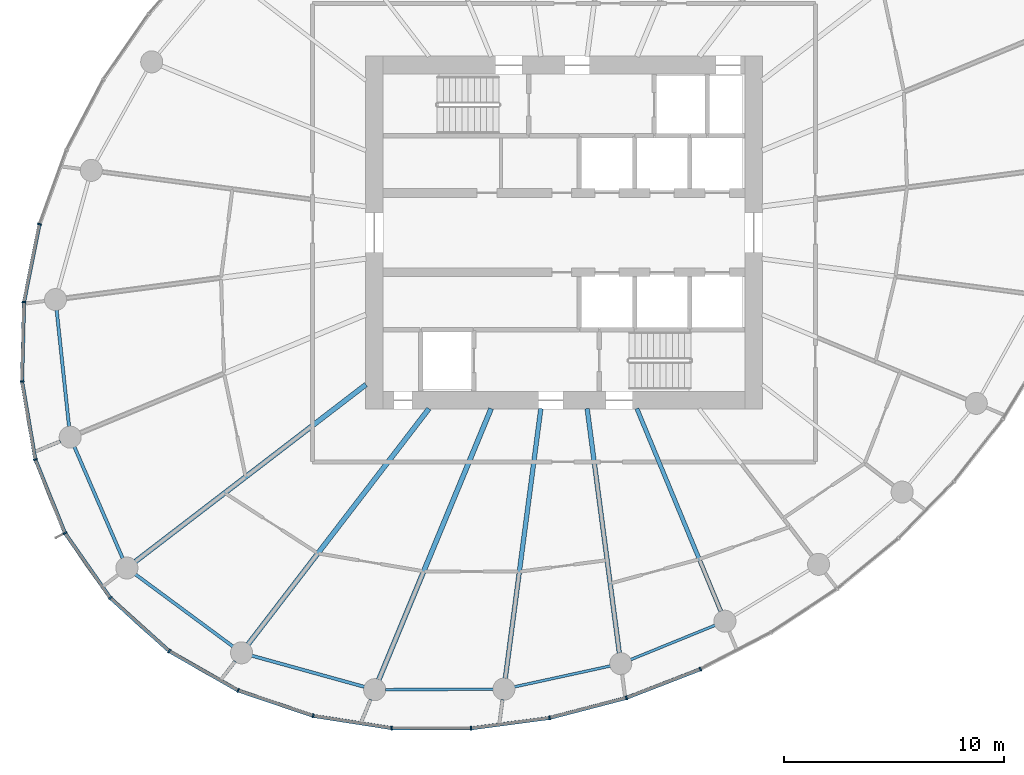
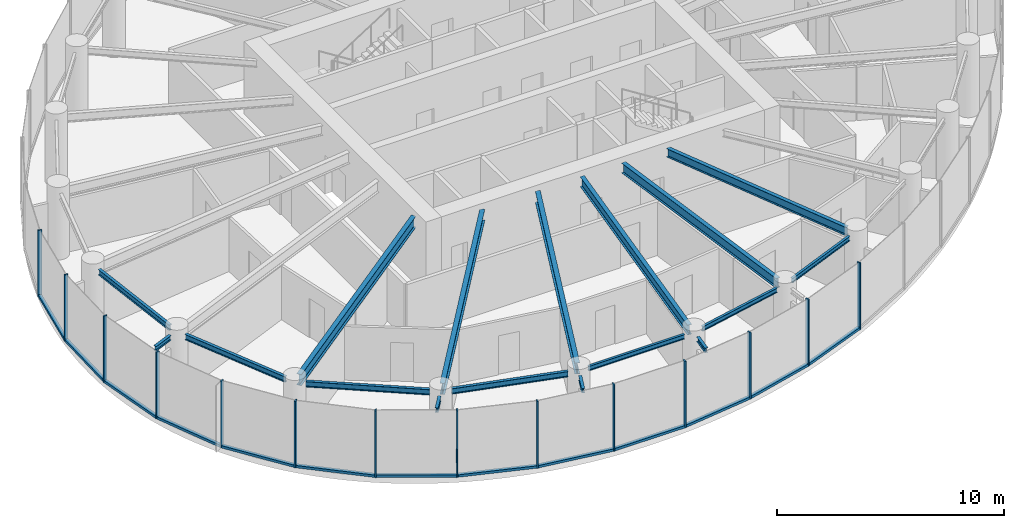
# One storey, part 2 of 14: 27 members, 17 beams, 3 elements without a shape of their own.
"""IFC4 building model written with IfcOpenShell, lengths in metres."""

from ifc_helpers import new_model, si_unit, direction, frame, origin, origin_2d, place, context, subcontext, project, spatial, rectangle, i_section, extrude, source, transform, mapped, material, layer, layer_set, material_profile, profile_set, type_object, element, aggregate, save


model = new_model("IFC4")

# Units and contexts
model_context = context("Model", 3, precision=1e-05, world=origin(), true_north=direction((0.0, 1.0)))
body_context = subcontext(model_context, "Body", "Model", "MODEL_VIEW")
ifc_project = project(units=[si_unit("LENGTHUNIT", "METRE"), si_unit("AREAUNIT", "SQUARE_METRE"), si_unit("VOLUMEUNIT", "CUBIC_METRE"), si_unit("PLANEANGLEUNIT", "RADIAN"), si_unit("MASSUNIT", "GRAM", prefix="KILO")], contexts=[model_context])

# Site, building, storey
site_placement = place(None, origin())
site = spatial("IfcSite", under=ifc_project, at=site_placement, CompositionType="ELEMENT")
building_placement = place(site_placement, origin())
building = spatial("IfcBuilding", under=site, at=building_placement, Name="Spindrift Exchange Tower", CompositionType="ELEMENT")
storey_placement = place(building_placement, frame((0.0, 0.0, 164.300048828125)))
storey = spatial("IfcBuildingStorey", under=building, at=storey_placement, Name="L39", CompositionType="ELEMENT", Elevation=164.300048828125)

# Beams
ifc_material_1 = material(Name="Steel Grade 300", Category="steel")
ifc_material_profile_1 = material_profile(ifc_material_1, i_section(OverallWidth=0.14892578125, OverallDepth=0.298095703125, WebThickness=0.005615234375, FlangeThickness=0.008056640625, FilletRadius=0.012939453125, at=origin_2d()), Name="310UB32.0")
ifc_profile_set_1 = profile_set([ifc_material_profile_1], Name="Steel Grade 300")
beam_type_1 = type_object("IfcBeamType", Name="Edge Beam 310UB32.0 Steel Grade 300", PredefinedType="SPANDREL", material=ifc_profile_set_1)
shared_shape_1 = source(origin(), body_context, "Body", "SweptSolid", [
    extrude(i_section(OverallWidth=0.14892578125, OverallDepth=0.298095703125, WebThickness=0.005615234375, FlangeThickness=0.008056640625, FilletRadius=0.012939453125, at=origin_2d()), origin(), (0.0, 0.0, 1.0), 5.31640625),
])
beam_1_placement = place(storey_placement, frame((28.989013671875, 44.486572265625, 3.430908203125), z_axis=(0.10598990948, -0.994367205357, 0.0), x_axis=(0.994367205357, 0.10598990948, 0.0)))
element("IfcBeam", 1, at=beam_1_placement, inside=storey, type_object=beam_type_1, Name="L39 edge beam E13", PredefinedType="SPANDREL", context=body_context, shape_type="MappedRepresentation", body=[
    mapped(shared_shape_1, transform((0.0, 0.0, 0.0), scale=1.0)),
])
shared_shape_2 = source(origin(), body_context, "Body", "SweptSolid", [
    extrude(i_section(OverallWidth=0.14892578125, OverallDepth=0.298095703125, WebThickness=0.005615234375, FlangeThickness=0.008056640625, FilletRadius=0.012939453125, at=origin_2d()), origin(), (0.0, 0.0, 1.0), 5.508544921875),
])
beam_2_placement = place(storey_placement, frame((29.794189453125, 38.282470703125, 3.430908203125), z_axis=(0.397414644433, -0.917639144975, 0.0), x_axis=(0.917639144975, 0.397414644433, 0.0)))
element("IfcBeam", 2, at=beam_2_placement, inside=storey, type_object=beam_type_1, Name="L39 edge beam E14", PredefinedType="SPANDREL", context=body_context, shape_type="MappedRepresentation", body=[
    mapped(shared_shape_2, transform((0.0, 0.0, 0.0), scale=1.0)),
])
shared_shape_3 = source(origin(), body_context, "Body", "SweptSolid", [
    extrude(i_section(OverallWidth=0.14892578125, OverallDepth=0.298095703125, WebThickness=0.005615234375, FlangeThickness=0.008056640625, FilletRadius=0.012939453125, at=origin_2d()), origin(), (0.0, 0.0, 1.0), 5.509033203125),
])
beam_3_placement = place(storey_placement, frame((32.56005859375, 32.501708984375, 3.430908203125), z_axis=(0.803991901791, -0.594640245741, 0.0), x_axis=(0.594640245741, 0.803991901791, 0.0)))
element("IfcBeam", 3, at=beam_3_placement, inside=storey, type_object=beam_type_1, Name="L39 edge beam E15", PredefinedType="SPANDREL", context=body_context, shape_type="MappedRepresentation", body=[
    mapped(shared_shape_3, transform((0.0, 0.0, 0.0), scale=1.0)),
])
shared_shape_4 = source(origin(), body_context, "Body", "SweptSolid", [
    extrude(i_section(OverallWidth=0.14892578125, OverallDepth=0.298095703125, WebThickness=0.005615234375, FlangeThickness=0.008056640625, FilletRadius=0.012939453125, at=origin_2d()), origin(), (0.0, 0.0, 1.0), 5.30517578125),
])
beam_4_placement = place(storey_placement, frame((37.837646484375, 28.8125, 3.430908203125), z_axis=(0.963757513624, -0.26677978734, 0.0), x_axis=(0.26677978734, 0.963757513624, 0.0)))
element("IfcBeam", 4, at=beam_4_placement, inside=storey, type_object=beam_type_1, Name="L39 edge beam E16", PredefinedType="SPANDREL", context=body_context, shape_type="MappedRepresentation", body=[
    mapped(shared_shape_4, transform((0.0, 0.0, 0.0), scale=1.0)),
])
ifc_material_profile_2 = material_profile(ifc_material_1, i_section(OverallWidth=0.1240234375, OverallDepth=0.248046875, WebThickness=0.0048828125, FlangeThickness=0.008056640625, FilletRadius=0.011962890625, at=origin_2d()), Name="250UB25.7")
ifc_profile_set_2 = profile_set([ifc_material_profile_2], Name="Steel Grade 300")
beam_type_2 = type_object("IfcBeamType", Name="Edge Beam 250UB25.7 Steel Grade 300", PredefinedType="SPANDREL", material=ifc_profile_set_2)
shared_shape_5 = source(origin(), body_context, "Body", "SweptSolid", [
    extrude(i_section(OverallWidth=0.1240234375, OverallDepth=0.248046875, WebThickness=0.0048828125, FlangeThickness=0.008056640625, FilletRadius=0.011962890625, at=origin_2d()), origin(), (0.0, 0.0, 1.0), 4.901123046875),
])
beam_5_placement = place(storey_placement, frame((43.89306640625, 27.271240234375, 3.4560546875), z_axis=(0.999990609444, 0.004333707747, 0.0), x_axis=(-0.004333707747, 0.999990609444, 0.0)))
element("IfcBeam", 5, at=beam_5_placement, inside=storey, type_object=beam_type_2, Name="L39 edge beam E17", PredefinedType="SPANDREL", context=body_context, shape_type="MappedRepresentation", body=[
    mapped(shared_shape_5, transform((0.0, 0.0, 0.0), scale=1.0)),
])
shared_shape_6 = source(origin(), body_context, "Body", "SweptSolid", [
    extrude(i_section(OverallWidth=0.1240234375, OverallDepth=0.248046875, WebThickness=0.0048828125, FlangeThickness=0.008056640625, FilletRadius=0.011962890625, at=origin_2d()), origin(), (0.0, 0.0, 1.0), 4.464111328125),
])
beam_6_placement = place(storey_placement, frame((49.7431640625, 27.396728515625, 3.4560546875), z_axis=(0.977095837978, 0.212799726048, 0.0), x_axis=(-0.212799726048, 0.977095837978, 0.0)))
element("IfcBeam", 6, at=beam_6_placement, inside=storey, type_object=beam_type_2, Name="L39 edge beam E18", PredefinedType="SPANDREL", context=body_context, shape_type="MappedRepresentation", body=[
    mapped(shared_shape_6, transform((0.0, 0.0, 0.0), scale=1.0)),
])
shared_shape_7 = source(origin(), body_context, "Body", "SweptSolid", [
    extrude(i_section(OverallWidth=0.1240234375, OverallDepth=0.248046875, WebThickness=0.0048828125, FlangeThickness=0.008056640625, FilletRadius=0.011962890625, at=origin_2d()), origin(), (0.0, 0.0, 1.0), 4.143798828125),
])
beam_7_placement = place(storey_placement, frame((55.0185546875, 28.6298828125, 3.4560546875), z_axis=(0.926113706975, 0.377244485385, 0.0), x_axis=(-0.377244485385, 0.926113706975, 0.0)))
element("IfcBeam", 7, at=beam_7_placement, inside=storey, type_object=beam_type_2, Name="L39 edge beam E19", PredefinedType="SPANDREL", context=body_context, shape_type="MappedRepresentation", body=[
    mapped(shared_shape_7, transform((0.0, 0.0, 0.0), scale=1.0)),
])
ifc_material_profile_3 = material_profile(ifc_material_1, i_section(OverallWidth=0.22802734375, OverallDepth=0.60205078125, WebThickness=0.010498046875, FlangeThickness=0.014892578125, FilletRadius=0.013916015625, at=origin_2d()), Name="610UB101")
ifc_profile_set_3 = profile_set([ifc_material_profile_3], Name="Steel Grade 300")
beam_type_3 = type_object("IfcBeamType", Name="Floor Beam 610UB101 Steel Grade 300", PredefinedType="BEAM", material=ifc_profile_set_3)
shared_shape_8 = source(origin(), body_context, "Body", "SweptSolid", [
    extrude(i_section(OverallWidth=0.22802734375, OverallDepth=0.60205078125, WebThickness=0.010498046875, FlangeThickness=0.014892578125, FilletRadius=0.013916015625, at=origin_2d()), origin(), (0.0, 0.0, 1.0), 13.185546875),
])
beam_8_placement = place(storey_placement, frame((43.015869140625, 41.106201171875, 3.279052734375), z_axis=(-0.793357156703, -0.608756455332, 0.0), x_axis=(0.608756455332, -0.793357156703, 0.0)))
element("IfcBeam", 8, at=beam_8_placement, inside=storey, type_object=beam_type_3, Name="L39 radial beam R15A", PredefinedType="BEAM", context=body_context, shape_type="MappedRepresentation", body=[
    mapped(shared_shape_8, transform((0.0, 0.0, 0.0), scale=1.0)),
])
shared_shape_9 = source(origin(), body_context, "Body", "SweptSolid", [
    extrude(i_section(OverallWidth=0.22802734375, OverallDepth=0.60205078125, WebThickness=0.010498046875, FlangeThickness=0.014892578125, FilletRadius=0.013916015625, at=origin_2d()), origin(), (0.0, 0.0, 1.0), 13.480224609375),
])
beam_9_placement = place(storey_placement, frame((45.87353515625, 40.015869140625, 3.279052734375), z_axis=(-0.608764179541, -0.793351229726, 0.0), x_axis=(0.793351229726, -0.608764179541, 0.0)))
element("IfcBeam", 9, at=beam_9_placement, inside=storey, type_object=beam_type_3, Name="L39 radial beam R16A", PredefinedType="BEAM", context=body_context, shape_type="MappedRepresentation", body=[
    mapped(shared_shape_9, transform((0.0, 0.0, 0.0), scale=1.0)),
])
shared_shape_10 = source(origin(), body_context, "Body", "SweptSolid", [
    extrude(i_section(OverallWidth=0.22802734375, OverallDepth=0.60205078125, WebThickness=0.010498046875, FlangeThickness=0.014892578125, FilletRadius=0.013916015625, at=origin_2d()), origin(), (0.0, 0.0, 1.0), 13.31982421875),
])
beam_10_placement = place(storey_placement, frame((48.69384765625, 40.0185546875, 3.279052734375), z_axis=(-0.382676632888, -0.923882348918, 0.0), x_axis=(0.923882348918, -0.382676632888, 0.0)))
element("IfcBeam", 10, at=beam_10_placement, inside=storey, type_object=beam_type_3, Name="L39 radial beam R17A", PredefinedType="BEAM", context=body_context, shape_type="MappedRepresentation", body=[
    mapped(shared_shape_10, transform((0.0, 0.0, 0.0), scale=1.0)),
])
ifc_material_profile_4 = material_profile(ifc_material_1, i_section(OverallWidth=0.208984375, OverallDepth=0.528076171875, WebThickness=0.009521484375, FlangeThickness=0.01318359375, FilletRadius=0.013916015625, at=origin_2d()), Name="530UB82.0")
ifc_profile_set_4 = profile_set([ifc_material_profile_4], Name="Steel Grade 300")
beam_type_4 = type_object("IfcBeamType", Name="Floor Beam 530UB82.0 Steel Grade 300", PredefinedType="BEAM", material=ifc_profile_set_4)
shared_shape_11 = source(origin(), body_context, "Body", "SweptSolid", [
    extrude(i_section(OverallWidth=0.208984375, OverallDepth=0.528076171875, WebThickness=0.009521484375, FlangeThickness=0.01318359375, FilletRadius=0.013916015625, at=origin_2d()), origin(), (0.0, 0.0, 1.0), 12.35498046875),
])
beam_11_placement = place(storey_placement, frame((50.949462890625, 40.019775390625, 3.31591796875), z_axis=(-0.130537831721, -0.991443328935, 0.0), x_axis=(0.991443328935, -0.130537831721, 0.0)))
element("IfcBeam", 11, at=beam_11_placement, inside=storey, type_object=beam_type_4, Name="L39 radial beam R18A", PredefinedType="BEAM", context=body_context, shape_type="MappedRepresentation", body=[
    mapped(shared_shape_11, transform((0.0, 0.0, 0.0), scale=1.0)),
])
shared_shape_12 = source(origin(), body_context, "Body", "SweptSolid", [
    extrude(i_section(OverallWidth=0.208984375, OverallDepth=0.528076171875, WebThickness=0.009521484375, FlangeThickness=0.01318359375, FilletRadius=0.013916015625, at=origin_2d()), origin(), (0.0, 0.0, 1.0), 11.19091796875),
])
beam_12_placement = place(storey_placement, frame((53.050537109375, 40.019775390625, 3.31591796875), z_axis=(0.130524489434, -0.991445085548, 0.0), x_axis=(0.991445085548, 0.130524489434, 0.0)))
element("IfcBeam", 12, at=beam_12_placement, inside=storey, type_object=beam_type_4, Name="L39 radial beam R19A", PredefinedType="BEAM", context=body_context, shape_type="MappedRepresentation", body=[
    mapped(shared_shape_12, transform((0.0, 0.0, 0.0), scale=1.0)),
])
ifc_material_profile_5 = material_profile(ifc_material_1, i_section(OverallWidth=0.18994140625, OverallDepth=0.4541015625, WebThickness=0.008544921875, FlangeThickness=0.0126953125, FilletRadius=0.013916015625, at=origin_2d()), Name="460UB67.1")
ifc_profile_set_5 = profile_set([ifc_material_profile_5], Name="Steel Grade 300")
beam_type_5 = type_object("IfcBeamType", Name="Floor Beam 460UB67.1 Steel Grade 300", PredefinedType="BEAM", material=ifc_profile_set_5)
shared_shape_13 = source(origin(), body_context, "Body", "SweptSolid", [
    extrude(i_section(OverallWidth=0.18994140625, OverallDepth=0.4541015625, WebThickness=0.008544921875, FlangeThickness=0.0126953125, FilletRadius=0.013916015625, at=origin_2d()), origin(), (0.0, 0.0, 1.0), 9.958984375),
])
beam_13_placement = place(storey_placement, frame((55.30615234375, 40.0185546875, 3.35302734375), z_axis=(0.382673670509, -0.923883575944, 0.0), x_axis=(0.923883575944, 0.382673670509, 0.0)))
element("IfcBeam", 13, at=beam_13_placement, inside=storey, type_object=beam_type_5, Name="L39 radial beam R20A", PredefinedType="BEAM", context=body_context, shape_type="MappedRepresentation", body=[
    mapped(shared_shape_13, transform((0.0, 0.0, 0.0), scale=1.0)),
])
ifc_material_profile_6 = material_profile(ifc_material_1, i_section(OverallWidth=0.14599609375, OverallDepth=0.251953125, WebThickness=0.006103515625, FlangeThickness=0.008544921875, FilletRadius=0.011962890625, at=origin_2d()), Name="250UB31.4")
ifc_profile_set_6 = profile_set([ifc_material_profile_6], Name="Steel Grade 300")
beam_type_6 = type_object("IfcBeamType", Name="Cantilever Beam 250UB31.4 Steel Grade 300", PredefinedType="BEAM", material=ifc_profile_set_6)
shared_shape_14 = source(origin(), body_context, "Body", "SweptSolid", [
    extrude(i_section(OverallWidth=0.14599609375, OverallDepth=0.251953125, WebThickness=0.006103515625, FlangeThickness=0.008544921875, FilletRadius=0.011962890625, at=origin_2d()), origin(), (0.0, 0.0, 1.0), 1.092041015625),
])
beam_14_placement = place(storey_placement, frame((29.159912109375, 38.539306640625, 3.453857421875), z_axis=(-0.923842410219, -0.382773041214, 0.0), x_axis=(0.382773041214, -0.923842410219, 0.0)))
element("IfcBeam", 14, at=beam_14_placement, inside=storey, type_object=beam_type_6, Name="L39 cantilever beam R14T", PredefinedType="BEAM", context=body_context, shape_type="MappedRepresentation", body=[
    mapped(shared_shape_14, transform((0.0, 0.0, 0.0), scale=1.0)),
])
shared_shape_15 = source(origin(), body_context, "Body", "SweptSolid", [
    extrude(i_section(OverallWidth=0.14599609375, OverallDepth=0.251953125, WebThickness=0.006103515625, FlangeThickness=0.008544921875, FilletRadius=0.011962890625, at=origin_2d()), origin(), (0.0, 0.0, 1.0), 0.938232421875),
])
beam_15_placement = place(storey_placement, frame((37.0830078125, 28.559814453125, 3.453857421875), z_axis=(-0.608666429763, -0.793426226741, 0.0), x_axis=(0.793426226741, -0.608666429763, 0.0)))
element("IfcBeam", 15, at=beam_15_placement, inside=storey, type_object=beam_type_6, Name="L39 cantilever beam R16T", PredefinedType="BEAM", context=body_context, shape_type="MappedRepresentation", body=[
    mapped(shared_shape_15, transform((0.0, 0.0, 0.0), scale=1.0)),
])
shared_shape_16 = source(origin(), body_context, "Body", "SweptSolid", [
    extrude(i_section(OverallWidth=0.14599609375, OverallDepth=0.251953125, WebThickness=0.006103515625, FlangeThickness=0.008544921875, FilletRadius=0.011962890625, at=origin_2d()), origin(), (0.0, 0.0, 1.0), 1.015380859375),
])
beam_16_placement = place(storey_placement, frame((43.229248046875, 26.82568359375, 3.453857421875), z_axis=(-0.382514591676, -0.923949450541, 0.0), x_axis=(0.923949450541, -0.382514591676, 0.0)))
element("IfcBeam", 16, at=beam_16_placement, inside=storey, type_object=beam_type_6, Name="L39 cantilever beam R17T", PredefinedType="BEAM", context=body_context, shape_type="MappedRepresentation", body=[
    mapped(shared_shape_16, transform((0.0, 0.0, 0.0), scale=1.0)),
])
shared_shape_17 = source(origin(), body_context, "Body", "SweptSolid", [
    extrude(i_section(OverallWidth=0.14599609375, OverallDepth=0.251953125, WebThickness=0.006103515625, FlangeThickness=0.008544921875, FilletRadius=0.011962890625, at=origin_2d()), origin(), (0.0, 0.0, 1.0), 0.971923828125),
])
beam_17_placement = place(storey_placement, frame((49.21142578125, 26.81884765625, 3.453857421875), z_axis=(-0.13037003955, -0.991465406753, 0.0), x_axis=(0.991465406753, -0.13037003955, 0.0)))
element("IfcBeam", 17, at=beam_17_placement, inside=storey, type_object=beam_type_6, Name="L39 cantilever beam R18T", PredefinedType="BEAM", context=body_context, shape_type="MappedRepresentation", body=[
    mapped(shared_shape_17, transform((0.0, 0.0, 0.0), scale=1.0)),
])

# Curtain wall, members
ifc_material_2 = material(Name="Fritted laminated glass with bronze frame", Category="glass")
ifc_layer = layer(ifc_material_2, 0.179931640625)
ifc_layer_set = layer_set([ifc_layer], Name="ZONE 3 BRONZE FRITTED WALL")
curtain_wall_type = type_object("IfcCurtainWallType", Name="ZONE 3 BRONZE FRITTED WALL", PredefinedType="NOTDEFINED", material=ifc_layer_set)
curtain_wall_1_placement = place(storey_placement, origin())
curtain_wall_1 = element("IfcCurtainWall", 18, at=curtain_wall_1_placement, inside=storey, type_object=curtain_wall_type, Name="L39 Zone 3 Bronze Fritted Wall run 3", PredefinedType="NOTDEFINED")
ifc_material_3 = material(Name="Bronze anodised aluminium", Category="aluminium")
ifc_material_profile_7 = material_profile(ifc_material_3, rectangle(XDim=0.070068359375, YDim=0.179931640625, at=origin_2d()), Name="ZONE 3 BRONZE FRITTED WALL MULLION 70X180")
ifc_profile_set_7 = profile_set([ifc_material_profile_7], Name="Bronze anodised aluminium")
member_type_1 = type_object("IfcMemberType", Name="ZONE 3 BRONZE FRITTED WALL MULLION 70X180", PredefinedType="MULLION", material=ifc_profile_set_7)
shared_shape_18 = source(origin(), body_context, "Body", "SweptSolid", [
    extrude(rectangle(XDim=0.070068359375, YDim=0.179931640625, at=origin_2d()), origin(), (0.0, 0.0, 1.0), 3.579833984375),
])
member_1_placement = place(storey_placement, frame((28.20947265625, 48.38037109375, 0.0), z_axis=(0.0, 0.0, 1.0), x_axis=(-0.26855053835, -0.963265595956, 0.0)))
member_1 = element("IfcMember", 19, at=member_1_placement, type_object=member_type_1, Name="L39 mullion CW-3.17", PredefinedType="MULLION", context=body_context, shape_type="MappedRepresentation", body=[
    mapped(shared_shape_18, transform((0.0, 0.0, 0.0), scale=1.0)),
])
member_2_placement = place(storey_placement, frame((27.508056640625, 44.8505859375, 0.0), z_axis=(0.0, 0.0, 1.0), x_axis=(-0.110281014733, -0.993900446619, 0.0)))
member_2 = element("IfcMember", 20, at=member_2_placement, type_object=member_type_1, Name="L39 mullion CW-3.18", PredefinedType="MULLION", context=body_context, shape_type="MappedRepresentation", body=[
    mapped(shared_shape_18, transform((0.0, 0.0, 0.0), scale=1.0)),
])

curtain_wall_2_placement = place(storey_placement, origin())
curtain_wall_2 = element("IfcCurtainWall", 21, at=curtain_wall_2_placement, inside=storey, type_object=curtain_wall_type, Name="L39 Zone 3 Bronze Fritted Wall run 4", PredefinedType="NOTDEFINED")
member_3_placement = place(storey_placement, frame((27.418701171875, 41.254150390625, 0.0), z_axis=(0.0, 0.0, 1.0), x_axis=(0.071857191972, -0.997414930689, 0.0)))
member_3 = element("IfcMember", 22, at=member_3_placement, type_object=member_type_1, Name="L39 mullion CW-3.19", PredefinedType="MULLION", context=body_context, shape_type="MappedRepresentation", body=[
    mapped(shared_shape_18, transform((0.0, 0.0, 0.0), scale=1.0)),
])
member_4_placement = place(storey_placement, frame((28.0224609375, 37.708984375, 0.0), z_axis=(0.0, 0.0, 1.0), x_axis=(0.272301701967, -0.962211922139, 0.0)))
member_4 = element("IfcMember", 23, at=member_4_placement, type_object=member_type_1, Name="L39 mullion CW-3.20", PredefinedType="MULLION", context=body_context, shape_type="MappedRepresentation", body=[
    mapped(shared_shape_18, transform((0.0, 0.0, 0.0), scale=1.0)),
])
member_5_placement = place(storey_placement, frame((29.365478515625, 34.3740234375, 0.0), z_axis=(0.0, 0.0, 1.0), x_axis=(0.476277587323, -0.87929497884, 0.0)))
member_5 = element("IfcMember", 24, at=member_5_placement, type_object=member_type_1, Name="L39 mullion CW-3.21", PredefinedType="MULLION", context=body_context, shape_type="MappedRepresentation", body=[
    mapped(shared_shape_18, transform((0.0, 0.0, 0.0), scale=1.0)),
])
member_6_placement = place(storey_placement, frame((31.4248046875, 31.427734375, 0.0), z_axis=(0.0, 0.0, 1.0), x_axis=(0.662022121542, -0.749484296426, 0.0)))
member_6 = element("IfcMember", 25, at=member_6_placement, type_object=member_type_1, Name="L39 mullion CW-3.22", PredefinedType="MULLION", context=body_context, shape_type="MappedRepresentation", body=[
    mapped(shared_shape_18, transform((0.0, 0.0, 0.0), scale=1.0)),
])
member_7_placement = place(storey_placement, frame((34.0947265625, 29.020263671875, 0.0), z_axis=(0.0, 0.0, 1.0), x_axis=(0.810008139885, -0.586418633163, 0.0)))
member_7 = element("IfcMember", 26, at=member_7_placement, type_object=member_type_1, Name="L39 mullion CW-3.23", PredefinedType="MULLION", context=body_context, shape_type="MappedRepresentation", body=[
    mapped(shared_shape_18, transform((0.0, 0.0, 0.0), scale=1.0)),
])
member_8_placement = place(storey_placement, frame((37.216552734375, 27.23486328125, 0.0), z_axis=(0.0, 0.0, 1.0), x_axis=(0.911952157919, -0.41029655332, 0.0)))
member_8 = element("IfcMember", 27, at=member_8_placement, type_object=member_type_1, Name="L39 mullion CW-3.24", PredefinedType="MULLION", context=body_context, shape_type="MappedRepresentation", body=[
    mapped(shared_shape_18, transform((0.0, 0.0, 0.0), scale=1.0)),
])

curtain_wall_3_placement = place(storey_placement, origin())
curtain_wall_3 = element("IfcCurtainWall", 28, at=curtain_wall_3_placement, inside=storey, type_object=curtain_wall_type, Name="L39 Zone 3 Bronze Fritted Wall run 5", PredefinedType="NOTDEFINED")
member_9_placement = place(storey_placement, frame((40.62451171875, 26.08251953125, 0.0), z_axis=(0.0, 0.0, 1.0), x_axis=(0.971255717759, -0.238038506801, 0.0)))
member_9 = element("IfcMember", 29, at=member_9_placement, type_object=member_type_1, Name="L39 mullion CW-3.25", PredefinedType="MULLION", context=body_context, shape_type="MappedRepresentation", body=[
    mapped(shared_shape_18, transform((0.0, 0.0, 0.0), scale=1.0)),
])
member_10_placement = place(storey_placement, frame((44.180419921875, 25.5283203125, 0.0), z_axis=(0.0, 0.0, 1.0), x_axis=(0.996884296747, -0.078877746535, 0.0)))
member_10 = element("IfcMember", 30, at=member_10_placement, type_object=member_type_1, Name="L39 mullion CW-3.26", PredefinedType="MULLION", context=body_context, shape_type="MappedRepresentation", body=[
    mapped(shared_shape_18, transform((0.0, 0.0, 0.0), scale=1.0)),
])
member_11_placement = place(storey_placement, frame((47.77978515625, 25.5166015625, 0.0), z_axis=(0.0, 0.0, 1.0), x_axis=(0.997927216974, 0.064352697085, 0.0)))
member_11 = element("IfcMember", 31, at=member_11_placement, type_object=member_type_1, Name="L39 mullion CW-3.27", PredefinedType="MULLION", context=body_context, shape_type="MappedRepresentation", body=[
    mapped(shared_shape_18, transform((0.0, 0.0, 0.0), scale=1.0)),
])
member_12_placement = place(storey_placement, frame((51.348388671875, 25.990478515625, 0.0), z_axis=(0.0, 0.0, 1.0), x_axis=(0.981319062851, 0.192387361555, 0.0)))
member_12 = element("IfcMember", 32, at=member_12_placement, type_object=member_type_1, Name="L39 mullion CW-3.28", PredefinedType="MULLION", context=body_context, shape_type="MappedRepresentation", body=[
    mapped(shared_shape_18, transform((0.0, 0.0, 0.0), scale=1.0)),
])
member_13_placement = place(storey_placement, frame((54.83251953125, 26.899169921875, 0.0), z_axis=(0.0, 0.0, 1.0), x_axis=(0.951621026589, 0.307274180096, 0.0)))
member_13 = element("IfcMember", 33, at=member_13_placement, type_object=member_type_1, Name="L39 mullion CW-3.29", PredefinedType="MULLION", context=body_context, shape_type="MappedRepresentation", body=[
    mapped(shared_shape_18, transform((0.0, 0.0, 0.0), scale=1.0)),
])
member_14_placement = place(storey_placement, frame((58.18994140625, 28.19970703125, 0.0), z_axis=(0.0, 0.0, 1.0), x_axis=(0.911514412503, 0.411268131271, 0.0)))
member_14 = element("IfcMember", 34, at=member_14_placement, type_object=member_type_1, Name="L39 mullion CW-3.30", PredefinedType="MULLION", context=body_context, shape_type="MappedRepresentation", body=[
    mapped(shared_shape_18, transform((0.0, 0.0, 0.0), scale=1.0)),
])
ifc_material_profile_8 = material_profile(ifc_material_3, rectangle(XDim=0.159912109375, YDim=0.1298828125, at=origin_2d()), Name="ZONE 3 BRONZE FRITTED WALL TRANSOM 160X130")
ifc_profile_set_8 = profile_set([ifc_material_profile_8], Name="Bronze anodised aluminium")
member_type_2 = type_object("IfcMemberType", Name="ZONE 3 BRONZE FRITTED WALL TRANSOM 160X130", PredefinedType="USERDEFINED", material=ifc_profile_set_8)
shared_shape_19 = source(origin(), body_context, "Body", "SweptSolid", [
    extrude(rectangle(XDim=0.159912109375, YDim=0.1298828125, at=origin_2d()), origin(), (0.0, 0.0, 1.0), 3.53076171875),
])
member_15_placement = place(storey_placement, frame((54.864990234375, 26.911865234375, 0.06494140625), z_axis=(0.932507261306, 0.361151225404, 0.0), x_axis=(-0.361151225404, 0.932507261306, 0.0)))
member_15 = element("IfcMember", 35, at=member_15_placement, type_object=member_type_2, Name="L39 transom CW-3.29", ObjectType="TRANSOM", PredefinedType="USERDEFINED", context=body_context, shape_type="MappedRepresentation", body=[
    mapped(shared_shape_19, transform((0.0, 0.0, 0.0), scale=1.0)),
])
shared_shape_20 = source(origin(), body_context, "Body", "SweptSolid", [
    extrude(rectangle(XDim=0.159912109375, YDim=0.1298828125, at=origin_2d()), origin(), (0.0, 0.0, 1.0), 3.529296875),
])
member_16_placement = place(storey_placement, frame((44.21533203125, 25.528076171875, 0.06494140625), z_axis=(0.999994714744, -0.003251227974, 0.0), x_axis=(0.003251227974, 0.999994714744, 0.0)))
member_16 = element("IfcMember", 36, at=member_16_placement, type_object=member_type_2, Name="L39 transom CW-3.26", ObjectType="TRANSOM", PredefinedType="USERDEFINED", context=body_context, shape_type="MappedRepresentation", body=[
    mapped(shared_shape_20, transform((0.0, 0.0, 0.0), scale=1.0)),
])

# Member
shared_shape_21 = source(origin(), body_context, "Body", "SweptSolid", [
    extrude(rectangle(XDim=0.159912109375, YDim=0.1298828125, at=origin_2d()), origin(), (0.0, 0.0, 1.0), 3.5263671875),
])
member_17_placement = place(storey_placement, frame((27.424560546875, 41.2197265625, 0.06494140625), z_axis=(0.167889535782, -0.985805814435, 0.0), x_axis=(0.985805814435, 0.167889535782, 0.0)))
member_17 = element("IfcMember", 37, at=member_17_placement, type_object=member_type_2, Name="L39 transom CW-3.19", ObjectType="TRANSOM", PredefinedType="USERDEFINED", context=body_context, shape_type="MappedRepresentation", body=[
    mapped(shared_shape_21, transform((0.0, 0.0, 0.0), scale=1.0)),
])

member_18_placement = place(storey_placement, frame((34.125, 29.0029296875, 0.06494140625), z_axis=(0.868051353377, -0.496474418174, 0.0), x_axis=(0.496474418174, 0.868051353377, 0.0)))
member_18 = element("IfcMember", 38, at=member_18_placement, type_object=member_type_2, Name="L39 transom CW-3.23", ObjectType="TRANSOM", PredefinedType="USERDEFINED", context=body_context, shape_type="MappedRepresentation", body=[
    mapped(shared_shape_21, transform((0.0, 0.0, 0.0), scale=1.0)),
])

shared_shape_22 = source(origin(), body_context, "Body", "SweptSolid", [
    extrude(rectangle(XDim=0.159912109375, YDim=0.1298828125, at=origin_2d()), origin(), (0.0, 0.0, 1.0), 3.525146484375),
])
member_19_placement = place(storey_placement, frame((28.03564453125, 37.676513671875, 0.06494140625), z_axis=(0.373562841162, -0.927604874773, 0.0), x_axis=(0.927604874773, 0.373562841162, 0.0)))
member_19 = element("IfcMember", 39, at=member_19_placement, type_object=member_type_2, Name="L39 transom CW-3.20", ObjectType="TRANSOM", PredefinedType="USERDEFINED", context=body_context, shape_type="MappedRepresentation", body=[
    mapped(shared_shape_22, transform((0.0, 0.0, 0.0), scale=1.0)),
])

member_20_placement = place(storey_placement, frame((31.45068359375, 31.404296875, 0.06494140625), z_axis=(0.742663598329, -0.669664677072, 0.0), x_axis=(0.669664677072, 0.742663598329, 0.0)))
member_20 = element("IfcMember", 40, at=member_20_placement, type_object=member_type_2, Name="L39 transom CW-3.22", ObjectType="TRANSOM", PredefinedType="USERDEFINED", context=body_context, shape_type="MappedRepresentation", body=[
    mapped(shared_shape_22, transform((0.0, 0.0, 0.0), scale=1.0)),
])

shared_shape_23 = source(origin(), body_context, "Body", "SweptSolid", [
    extrude(rectangle(XDim=0.159912109375, YDim=0.1298828125, at=origin_2d()), origin(), (0.0, 0.0, 1.0), 3.530517578125),
])
member_21_placement = place(storey_placement, frame((51.38232421875, 25.999267578125, 0.06494140625), z_axis=(0.967623146869, 0.252399377265, 0.0), x_axis=(-0.252399377265, 0.967623146869, 0.0)))
member_21 = element("IfcMember", 41, at=member_21_placement, type_object=member_type_2, Name="L39 transom CW-3.28", ObjectType="TRANSOM", PredefinedType="USERDEFINED", context=body_context, shape_type="MappedRepresentation", body=[
    mapped(shared_shape_23, transform((0.0, 0.0, 0.0), scale=1.0)),
])

shared_shape_24 = source(origin(), body_context, "Body", "SweptSolid", [
    extrude(rectangle(XDim=0.159912109375, YDim=0.1298828125, at=origin_2d()), origin(), (0.0, 0.0, 1.0), 3.530029296875),
])
member_22_placement = place(storey_placement, frame((47.814453125, 25.52099609375, 0.06494140625), z_axis=(0.991291811606, 0.131683500265, 0.0), x_axis=(-0.131683500265, 0.991291811606, 0.0)))
member_22 = element("IfcMember", 42, at=member_22_placement, type_object=member_type_2, Name="L39 transom CW-3.27", ObjectType="TRANSOM", PredefinedType="USERDEFINED", context=body_context, shape_type="MappedRepresentation", body=[
    mapped(shared_shape_24, transform((0.0, 0.0, 0.0), scale=1.0)),
])

shared_shape_25 = source(origin(), body_context, "Body", "SweptSolid", [
    extrude(rectangle(XDim=0.159912109375, YDim=0.1298828125, at=origin_2d()), origin(), (0.0, 0.0, 1.0), 3.524658203125),
])
member_23_placement = place(storey_placement, frame((29.3857421875, 34.345458984375, 0.06494140625), z_axis=(0.572774114556, -0.819713250896, 0.0), x_axis=(0.819713250896, 0.572774114556, 0.0)))
member_23 = element("IfcMember", 43, at=member_23_placement, type_object=member_type_2, Name="L39 transom CW-3.21", ObjectType="TRANSOM", PredefinedType="USERDEFINED", context=body_context, shape_type="MappedRepresentation", body=[
    mapped(shared_shape_25, transform((0.0, 0.0, 0.0), scale=1.0)),
])

shared_shape_26 = source(origin(), body_context, "Body", "SweptSolid", [
    extrude(rectangle(XDim=0.159912109375, YDim=0.1298828125, at=origin_2d()), origin(), (0.0, 0.0, 1.0), 3.52734375),
])
member_24_placement = place(storey_placement, frame((27.50732421875, 44.815673828125, 0.06494140625), z_axis=(-0.024846937477, -0.999691267191, 0.0), x_axis=(0.999691267191, -0.024846937477, 0.0)))
member_24 = element("IfcMember", 44, at=member_24_placement, type_object=member_type_2, Name="L39 transom CW-3.18", ObjectType="TRANSOM", PredefinedType="USERDEFINED", context=body_context, shape_type="MappedRepresentation", body=[
    mapped(shared_shape_26, transform((0.0, 0.0, 0.0), scale=1.0)),
])

member_25_placement = place(storey_placement, frame((37.249755859375, 27.2236328125, 0.06494140625), z_axis=(0.947310994018, -0.320315283138, 0.0), x_axis=(0.320315283138, 0.947310994018, 0.0)))
member_25 = element("IfcMember", 45, at=member_25_placement, type_object=member_type_2, Name="L39 transom CW-3.24", ObjectType="TRANSOM", PredefinedType="USERDEFINED", context=body_context, shape_type="MappedRepresentation", body=[
    mapped(shared_shape_26, transform((0.0, 0.0, 0.0), scale=1.0)),
])

aggregate(curtain_wall_2, [member_3, member_17, member_4, member_19, member_5, member_23, member_6, member_20, member_7, member_18, member_8, member_25])

shared_shape_27 = source(origin(), body_context, "Body", "SweptSolid", [
    extrude(rectangle(XDim=0.159912109375, YDim=0.1298828125, at=origin_2d()), origin(), (0.0, 0.0, 1.0), 3.528564453125),
])
member_26_placement = place(storey_placement, frame((28.20263671875, 48.345947265625, 0.06494140625), z_axis=(-0.19490517958, -0.980822089358, 0.0), x_axis=(0.980822089358, -0.19490517958, 0.0)))
member_26 = element("IfcMember", 46, at=member_26_placement, type_object=member_type_2, Name="L39 transom CW-3.17", ObjectType="TRANSOM", PredefinedType="USERDEFINED", context=body_context, shape_type="MappedRepresentation", body=[
    mapped(shared_shape_27, transform((0.0, 0.0, 0.0), scale=1.0)),
])

aggregate(curtain_wall_1, [member_1, member_26, member_2, member_24])

member_27_placement = place(storey_placement, frame((40.6591796875, 26.0771484375, 0.06494140625), z_axis=(0.988069018073, -0.15401173827, 0.0), x_axis=(0.15401173827, 0.988069018073, 0.0)))
member_27 = element("IfcMember", 47, at=member_27_placement, type_object=member_type_2, Name="L39 transom CW-3.25", ObjectType="TRANSOM", PredefinedType="USERDEFINED", context=body_context, shape_type="MappedRepresentation", body=[
    mapped(shared_shape_27, transform((0.0, 0.0, 0.0), scale=1.0)),
])

aggregate(curtain_wall_3, [member_9, member_27, member_10, member_16, member_11, member_22, member_12, member_21, member_13, member_15, member_14])

save(model, "model.ifc")
